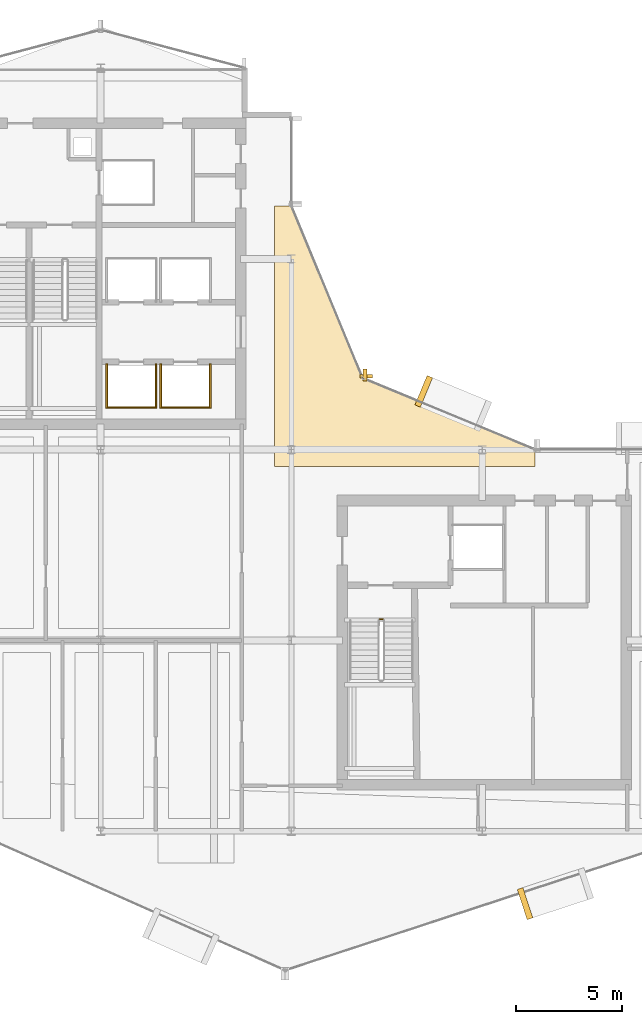
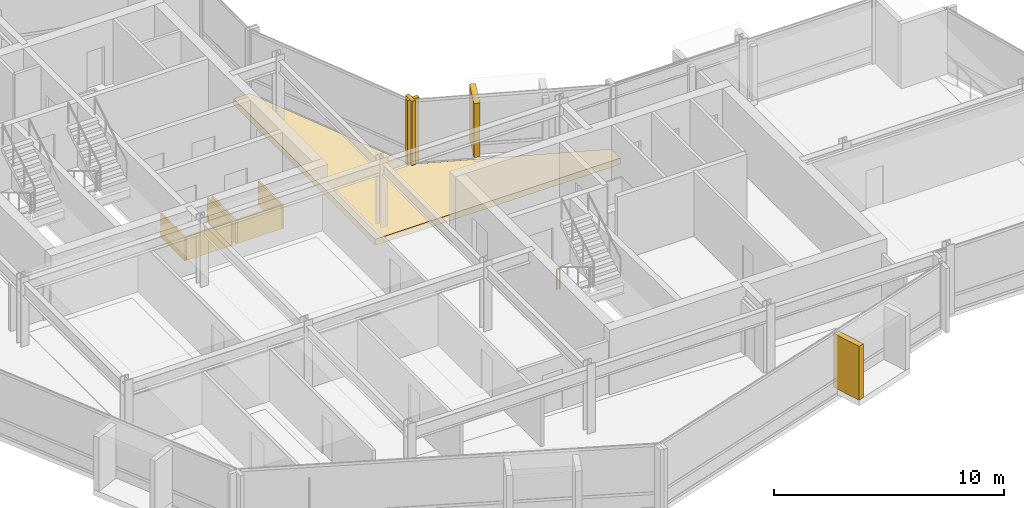
# One storey, part 25 of 27: 11 coverings, 1 railing.
"""IFC4 building model written with IfcOpenShell, lengths in metres."""

from ifc_helpers import new_model, si_unit, direction, frame, origin, origin_2d, place, context, subcontext, project, spatial, polyline, rectangle, circle, outline, extrude, material, layer, layer_set, type_object, element, save


model = new_model("IFC4")

# Units and contexts
model_context = context("Model", 3, precision=1e-05, world=origin(), true_north=direction((0.0, 1.0)))
body_context = subcontext(model_context, "Body", "Model", "MODEL_VIEW")
ifc_project = project(units=[si_unit("LENGTHUNIT", "METRE"), si_unit("AREAUNIT", "SQUARE_METRE"), si_unit("VOLUMEUNIT", "CUBIC_METRE"), si_unit("PLANEANGLEUNIT", "RADIAN"), si_unit("MASSUNIT", "GRAM", prefix="KILO")], contexts=[model_context])

# Site, building, storey
site_placement = place(None, origin())
site = spatial("IfcSite", under=ifc_project, at=site_placement, CompositionType="ELEMENT")
building_placement = place(site_placement, origin())
building = spatial("IfcBuilding", under=site, at=building_placement, Name="Solvaryn Broadcast Tower", CompositionType="ELEMENT")
storey_placement = place(building_placement, frame((0.0, 0.0, 221.0)))
storey = spatial("IfcBuildingStorey", under=building, at=storey_placement, Name="L55", CompositionType="ELEMENT", Elevation=221.0)

# Coverings
ifc_material_1 = material(Name="Fire-Rated Gypsum Shaftwall Liner", Category="concrete")
ifc_layer_1 = layer(ifc_material_1, 0.080078125)
ifc_layer_set_1 = layer_set([ifc_layer_1], Name="CV-SHAFT-LINER")
covering_type_1 = type_object("IfcCoveringType", Name="CV-SHAFT-LINER", PredefinedType="CLADDING", material=ifc_layer_set_1)
covering_1_placement = place(storey_placement, frame((19.449951171875, 28.985107421875, 0.0), z_axis=(0.0, 0.0, 1.0), x_axis=(1.0, 0.0, 0.0)))
element("IfcCovering", 1, at=covering_1_placement, inside=storey, type_object=covering_type_1, Name="L55 PH1 Hoistway Shaft Liner South", PredefinedType="CLADDING", context=body_context, shape_type="SweptSolid", body=[
    extrude(rectangle(XDim=2.409912109375, YDim=0.080078125, at=origin_2d()), origin(), (0.0, 0.0, 1.0), 1.25),
])
for number, where, z_axis, x_axis, name in (
    (2, (20.614990234375, 30.0, 0.0), (0.0, 0.0, 1.0), (1.0, 0.0, 0.0), "L55 PH1 Hoistway Shaft Liner East"),
    (3, (18.284912109375, 30.0, 0.0), (0.0, 0.0, 1.0), (1.0, 0.0, 0.0), "L55 PH1 Hoistway Shaft Liner West"),
):
    element("IfcCovering", number, at=place(storey_placement, frame(where, z_axis=z_axis, x_axis=x_axis)), inside=storey, type_object=covering_type_1, Name=name, PredefinedType="CLADDING", context=body_context, shape_type="SweptSolid", body=[
        extrude(rectangle(XDim=0.080078125, YDim=2.110107421875, at=origin_2d()), origin(), (0.0, 0.0, 1.0), 1.25),
    ])
covering_2_placement = place(storey_placement, frame((22.0, 28.985107421875, 0.0), z_axis=(0.0, 0.0, 1.0), x_axis=(1.0, 0.0, 0.0)))
element("IfcCovering", 4, at=covering_2_placement, inside=storey, type_object=covering_type_1, Name="L55 PH2 Hoistway Shaft Liner South", PredefinedType="CLADDING", context=body_context, shape_type="SweptSolid", body=[
    extrude(rectangle(XDim=2.409912109375, YDim=0.080078125, at=origin_2d()), origin(), (0.0, 0.0, 1.0), 1.25),
])
for number, where, z_axis, x_axis, name in (
    (5, (23.1650390625, 30.0, 0.0), (0.0, 0.0, 1.0), (1.0, 0.0, 0.0), "L55 PH2 Hoistway Shaft Liner East"),
    (6, (20.8349609375, 30.0, 0.0), (0.0, 0.0, 1.0), (1.0, 0.0, 0.0), "L55 PH2 Hoistway Shaft Liner West"),
):
    element("IfcCovering", number, at=place(storey_placement, frame(where, z_axis=z_axis, x_axis=x_axis)), inside=storey, type_object=covering_type_1, Name=name, PredefinedType="CLADDING", context=body_context, shape_type="SweptSolid", body=[
        extrude(rectangle(XDim=0.080078125, YDim=2.110107421875, at=origin_2d()), origin(), (0.0, 0.0, 1.0), 1.25),
    ])
ifc_material_2 = material(Name="Glazed Architectural Terracotta Rainscreen Cladding", Category="masonry")
ifc_layer_2 = layer(ifc_material_2, 0.280029296875)
ifc_layer_set_2 = layer_set([ifc_layer_2], Name="CV-TC-CLAD")
covering_type_2 = type_object("IfcCoveringType", Name="CV-TC-CLAD", PredefinedType="CLADDING", material=ifc_layer_set_2)
for number, where, z_axis, x_axis, name in (
    (7, (38.01904296875, 5.584716796875, 0.27978515625), (0.0, 0.0, 1.0), (0.950244253402, 0.311505792684, 0.0), "L55 Projecting Stone Window Box Cheek 4-1"),
    (8, (33.241943359375, 29.751953125, 0.27978515625), (0.0, 0.0, 1.0), (-0.923879532511, 0.382683432365, 0.0), "L55 Projecting Stone Window Box Cheek 5-2"),
):
    element("IfcCovering", number, at=place(storey_placement, frame(where, z_axis=z_axis, x_axis=x_axis)), inside=storey, type_object=covering_type_2, Name=name, PredefinedType="CLADDING", context=body_context, shape_type="SweptSolid", body=[
        extrude(rectangle(XDim=0.280029296875, YDim=1.5, at=origin_2d()), origin(), (0.0, 0.0, 1.0), 2.860107421875),
    ])
ifc_material_3 = material(Name="Extruded Architectural Terracotta Fin", Category="masonry")
ifc_layer_3 = layer(ifc_material_3, 0.179931640625)
ifc_layer_set_3 = layer_set([ifc_layer_3], Name="CV-TC-FIN")
covering_type_3 = type_object("IfcCoveringType", Name="CV-TC-FIN", PredefinedType="USERDEFINED", material=ifc_layer_set_3)
covering_3_placement = place(storey_placement, frame((30.464599609375, 30.52294921875, 0.0), z_axis=(0.0, 0.0, 1.0), x_axis=(1.0, 0.0, 0.0)))
element("IfcCovering", 9, at=covering_3_placement, inside=storey, type_object=covering_type_3, Name="L55 Terracotta Vertical Fin FIN-L55-CN1-M01", ObjectType="FIN", PredefinedType="USERDEFINED", context=body_context, shape_type="SweptSolid", body=[
    extrude(rectangle(XDim=0.179931640625, YDim=0.580078125, at=origin_2d()), origin(), (0.0, 0.0, 1.0), 3.419921875),
])
covering_4_placement = place(storey_placement, frame((30.52294921875, 30.464599609375, 0.0), z_axis=(0.0, 0.0, 1.0), x_axis=(1.0, 0.0, 0.0)))
element("IfcCovering", 10, at=covering_4_placement, inside=storey, type_object=covering_type_3, Name="L55 Terracotta Vertical Fin FIN-L55-CN2-M00", ObjectType="FIN", PredefinedType="USERDEFINED", context=body_context, shape_type="SweptSolid", body=[
    extrude(rectangle(XDim=0.580078125, YDim=0.179931640625, at=origin_2d()), origin(), (0.0, 0.0, 1.0), 3.419921875),
])
ifc_material_4 = material(Name="Sculpted Architectural Terracotta Wave Fascia", Category="masonry")
ifc_layer_4 = layer(ifc_material_4, 0.340087890625)
ifc_layer_set_4 = layer_set([ifc_layer_4], Name="CV-WAVE-TRAY")
covering_type_4 = type_object("IfcCoveringType", Name="CV-WAVE-TRAY", PredefinedType="CLADDING", material=ifc_layer_set_4)
covering_5_placement = place(storey_placement, frame((0.0, 0.0, -0.300048828125)))
element("IfcCovering", 11, at=covering_5_placement, inside=storey, type_object=covering_type_4, Name="L55 Concave Canyon Floor Apron", PredefinedType="CLADDING", context=body_context, shape_type="SweptSolid", body=[
    extrude(outline(polyline([(26.199951171875, 26.199951171875), (38.5, 26.199951171875), (38.5, 27.0), (30.367919921875, 30.367919921875), (27.0, 38.5), (26.199951171875, 38.5), (26.199951171875, 26.199951171875)])), origin(), (0.0, 0.0, 1.0), 0.330078125),
])

# Railing
ifc_material_5 = material(Name="Painted Steel Stair Well Guard", Category="steel")
railing_type = type_object("IfcRailingType", Name="RL-STAIR-GUARD", PredefinedType="BALUSTRADE", material=ifc_material_5)
railing_placement = place(storey_placement, frame((31.159912109375, 19.010009765625, 0.0)))
element("IfcRailing", 12, at=railing_placement, inside=storey, type_object=railing_type, Name="L55 ST3 stair guard 4", PredefinedType="BALUSTRADE", context=body_context, shape_type="SweptSolid", body=[
    extrude(circle(Radius=0.02392578125, at=origin_2d()), frame((0.0, 0.0, 1.076171875), z_axis=(1.0, 0.0, 0.0), x_axis=(0.0, 1.0, 0.0)), (0.0, 0.0, 1.0), 0.150146484375),
    extrude(circle(Radius=0.02099609375, at=origin_2d()), origin(), (0.0, 0.0, 1.0), 1.052001953125),
    extrude(circle(Radius=0.02099609375, at=origin_2d()), frame((0.150146484375, 0.0, 0.0)), (0.0, 0.0, 1.0), 1.052001953125),
])

save(model, "model.ifc")
